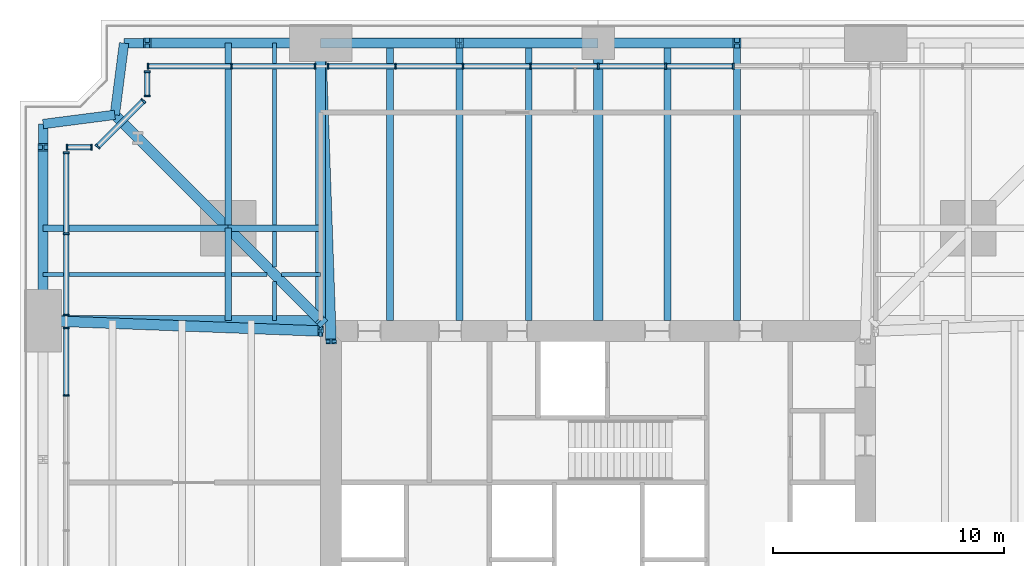
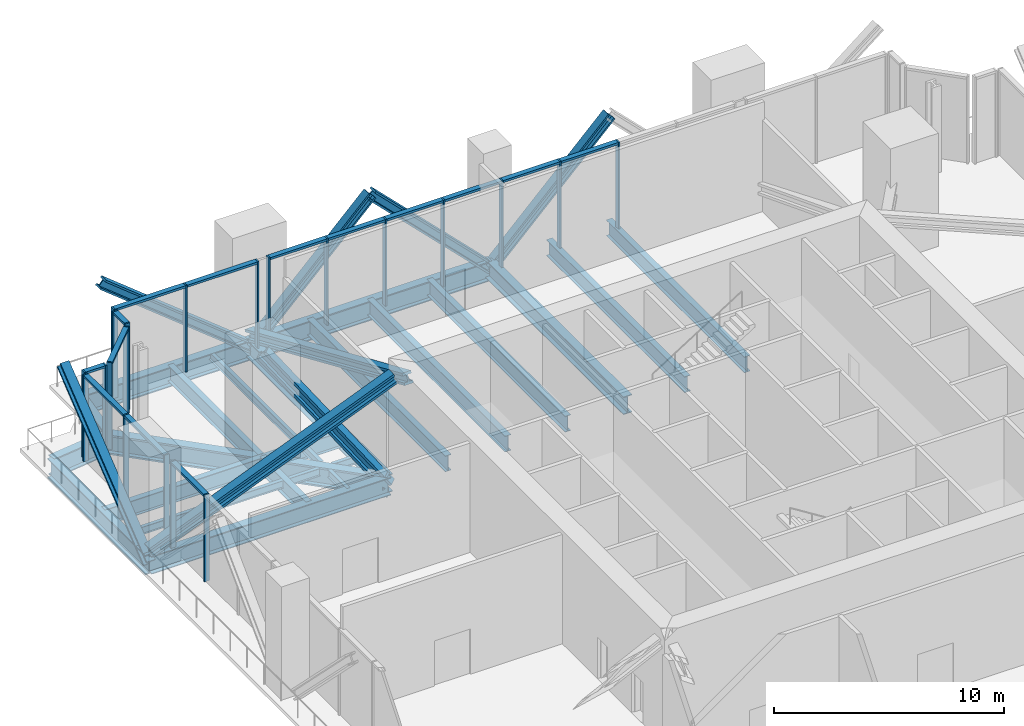
# One storey, part 6 of 13: 43 members, 25 beams, 7 elements without a shape of their own.
"""IFC4 building model written with IfcOpenShell, lengths in metres."""

from ifc_helpers import new_model, si_unit, direction, frame, origin, origin_2d, place, context, subcontext, project, spatial, rectangle, i_section, extrude, material, material_profile, profile_set, type_object, element, aggregate, save


model = new_model("IFC4")

# Units and contexts
model_context = context("Model", 3, precision=1e-05, world=origin(), true_north=direction((0.0, 1.0)))
body_context = subcontext(model_context, "Body", "Model", "MODEL_VIEW")
ifc_project = project(units=[si_unit("LENGTHUNIT", "METRE"), si_unit("AREAUNIT", "SQUARE_METRE"), si_unit("VOLUMEUNIT", "CUBIC_METRE"), si_unit("PLANEANGLEUNIT", "RADIAN"), si_unit("MASSUNIT", "GRAM", prefix="KILO")], contexts=[model_context])

# Site, building, storey
site_placement = place(None, origin())
site = spatial("IfcSite", under=ifc_project, at=site_placement, CompositionType="ELEMENT")
building_placement = place(site_placement, origin())
building = spatial("IfcBuilding", under=site, at=building_placement, Name="Fenwick Lantern Interchange", CompositionType="ELEMENT")
storey_placement = place(building_placement, frame((0.0, 0.0, 91.0)))
storey = spatial("IfcBuildingStorey", under=building, at=storey_placement, Name="L21", CompositionType="ELEMENT", Elevation=91.0)

# Members
ifc_material_1 = material(Name="Steel ASTM A992 Grade 50", Category="steel")
ifc_material_profile_1 = material_profile(ifc_material_1, i_section(OverallWidth=0.431884765625, OverallDepth=0.497802734375, WebThickness=0.0556640625, FlangeThickness=0.0888671875, at=origin_2d()), Name="W14X500")
ifc_profile_set_1 = profile_set([ifc_material_profile_1], Name="Steel ASTM A992 Grade 50")
member_type_1 = type_object("IfcMemberType", Name="BELT TRUSS DIAGONAL W14X500", PredefinedType="BRACE", material=ifc_profile_set_1)
for number, where, z_axis, x_axis, name in (
    (1, (25.0, 49.0, -0.64990234375), (0.707106781187, 0.0, 0.707106781187), (0.0, 1.0, 0.0), "L21/BT/N/D3"),
    (2, (25.0, 49.0, -0.64990234375), (-0.707106781187, 0.0, 0.707106781187), (0.0, -1.0, 0.0), "L21/BT/N/D4"),
    (3, (13.0, 49.0, -0.64990234375), (0.707106781187, 0.0, 0.707106781187), (0.0, 1.0, 0.0), "L21/BT/N/D5"),
):
    element("IfcMember", number, at=place(storey_placement, frame(where, z_axis=z_axis, x_axis=x_axis)), inside=storey, type_object=member_type_1, Name=name, PredefinedType="BRACE", context=body_context, shape_type="SweptSolid", body=[
        extrude(i_section(OverallWidth=0.431884765625, OverallDepth=0.497802734375, WebThickness=0.0556640625, FlangeThickness=0.0888671875, at=origin_2d()), origin(), (0.0, 0.0, 1.0), 8.4853515625),
    ])
for number, where, z_axis, x_axis, name in (
    (4, (13.0, 49.0, -0.64990234375), (-0.780868809443, 0.0, 0.624695047554), (0.0, -1.0, 0.0), "L21/BT/N/D6"),
    (5, (1.0, 37.0, -0.64990234375), (0.0, 0.780868809443, 0.624695047554), (-1.0, 0.0, 0.0), "L21/BT/W/D1"),
):
    element("IfcMember", number, at=place(storey_placement, frame(where, z_axis=z_axis, x_axis=x_axis)), inside=storey, type_object=member_type_1, Name=name, PredefinedType="BRACE", context=body_context, shape_type="SweptSolid", body=[
        extrude(i_section(OverallWidth=0.431884765625, OverallDepth=0.497802734375, WebThickness=0.0556640625, FlangeThickness=0.0888671875, at=origin_2d()), origin(), (0.0, 0.0, 1.0), 9.604736328125),
    ])

# Beams
ifc_material_profile_2 = material_profile(ifc_material_1, i_section(OverallWidth=0.408935546875, OverallDepth=1.04150390625, WebThickness=0.031005859375, FlangeThickness=0.055908203125, at=origin_2d()), Name="W40X397")
ifc_profile_set_2 = profile_set([ifc_material_profile_2], Name="Steel ASTM A992 Grade 50")
beam_type_1 = type_object("IfcBeamType", Name="EDGE BEAM W40X397", PredefinedType="SPANDREL", material=ifc_profile_set_2)
beam_1_placement = place(storey_placement, frame((25.0, 49.0, -0.720703125), z_axis=(-1.0, 0.0, 0.0), x_axis=(0.0, -1.0, 0.0)))
element("IfcBeam", 6, at=beam_1_placement, inside=storey, type_object=beam_type_1, Name="L21/FR/N/EB3", PredefinedType="SPANDREL", context=body_context, shape_type="SweptSolid", body=[
    extrude(i_section(OverallWidth=0.408935546875, OverallDepth=1.04150390625, WebThickness=0.031005859375, FlangeThickness=0.055908203125, at=origin_2d()), origin(), (0.0, 0.0, 1.0), 12.0),
])
beam_2_placement = place(storey_placement, frame((13.0, 49.0, -0.720703125), z_axis=(-1.0, 0.0, 0.0), x_axis=(0.0, -1.0, 0.0)))
element("IfcBeam", 7, at=beam_2_placement, inside=storey, type_object=beam_type_1, Name="L21/FR/N/EB4", PredefinedType="SPANDREL", context=body_context, shape_type="SweptSolid", body=[
    extrude(i_section(OverallWidth=0.408935546875, OverallDepth=1.04150390625, WebThickness=0.031005859375, FlangeThickness=0.055908203125, at=origin_2d()), origin(), (0.0, 0.0, 1.0), 8.5),
])
for number, where, z_axis, x_axis, name in (
    (8, (4.5, 49.0, -0.720703125), (-0.127936641807, -0.991782342897, 0.0), (0.991782342897, -0.127936641807, 0.0), "L21/FR/N/EBR1"),
    (9, (4.10009765625, 45.89990234375, -0.720703125), (-0.991782342897, -0.127936641807, 0.0), (0.127936641807, -0.991782342897, 0.0), "L21/FR/N/EBR2"),
):
    element("IfcBeam", number, at=place(storey_placement, frame(where, z_axis=z_axis, x_axis=x_axis)), inside=storey, type_object=beam_type_1, Name=name, PredefinedType="SPANDREL", context=body_context, shape_type="SweptSolid", body=[
        extrude(i_section(OverallWidth=0.408935546875, OverallDepth=1.04150390625, WebThickness=0.031005859375, FlangeThickness=0.055908203125, at=origin_2d()), origin(), (0.0, 0.0, 1.0), 3.125732421875),
    ])
beam_3_placement = place(storey_placement, frame((1.0, 45.5, -0.720703125), z_axis=(0.0, -1.0, 0.0), x_axis=(1.0, 0.0, 0.0)))
element("IfcBeam", 10, at=beam_3_placement, inside=storey, type_object=beam_type_1, Name="L21/FR/W/EB1", PredefinedType="SPANDREL", context=body_context, shape_type="SweptSolid", body=[
    extrude(i_section(OverallWidth=0.408935546875, OverallDepth=1.04150390625, WebThickness=0.031005859375, FlangeThickness=0.055908203125, at=origin_2d()), origin(), (0.0, 0.0, 1.0), 8.5),
])
ifc_material_profile_3 = material_profile(ifc_material_1, i_section(OverallWidth=0.2919921875, OverallDepth=0.845703125, WebThickness=0.015380859375, FlangeThickness=0.0244140625, at=origin_2d()), Name="W33X141")
ifc_profile_set_3 = profile_set([ifc_material_profile_3], Name="Steel ASTM A992 Grade 50")
beam_type_2 = type_object("IfcBeamType", Name="FLOOR BEAM W33X141", PredefinedType="BEAM", material=ifc_profile_set_3)
for number, where, z_axis, x_axis, name in (
    (11, (31.0, 49.0, -0.622802734375), (0.0, -1.0, 0.0), (1.0, 0.0, 0.0), "L21/FR/N/R03"),
    (12, (28.0, 49.0, -0.622802734375), (0.0, -1.0, 0.0), (1.0, 0.0, 0.0), "L21/FR/N/R04"),
    (13, (22.0, 49.0, -0.622802734375), (0.0, -1.0, 0.0), (1.0, 0.0, 0.0), "L21/FR/N/R06"),
    (14, (19.0, 49.0, -0.622802734375), (0.0, -1.0, 0.0), (1.0, 0.0, 0.0), "L21/FR/N/R07"),
    (15, (16.0, 49.0, -0.622802734375), (0.0, -1.0, 0.0), (1.0, 0.0, 0.0), "L21/FR/N/R08"),
):
    element("IfcBeam", number, at=place(storey_placement, frame(where, z_axis=z_axis, x_axis=x_axis)), inside=storey, type_object=beam_type_2, Name=name, PredefinedType="BEAM", context=body_context, shape_type="SweptSolid", body=[
        extrude(i_section(OverallWidth=0.2919921875, OverallDepth=0.845703125, WebThickness=0.015380859375, FlangeThickness=0.0244140625, at=origin_2d()), origin(), (0.0, 0.0, 1.0), 12.0),
    ])
ifc_material_profile_4 = material_profile(ifc_material_1, i_section(OverallWidth=0.177734375, OverallDepth=0.406494140625, WebThickness=0.0078125, FlangeThickness=0.012939453125, at=origin_2d()), Name="W16X40")
ifc_profile_set_4 = profile_set([ifc_material_profile_4], Name="Steel ASTM A992 Grade 50")
beam_type_3 = type_object("IfcBeamType", Name="INFILL BEAM W16X40", PredefinedType="JOIST", material=ifc_profile_set_4)
beam_4_placement = place(storey_placement, frame((1.0, 39.0, -0.4033203125), z_axis=(1.0, 0.0, 0.0), x_axis=(0.0, 1.0, 0.0)))
element("IfcBeam", 16, at=beam_4_placement, inside=storey, type_object=beam_type_3, Name="L21/FR/W/J1", PredefinedType="JOIST", context=body_context, shape_type="SweptSolid", body=[
    extrude(i_section(OverallWidth=0.177734375, OverallDepth=0.406494140625, WebThickness=0.0078125, FlangeThickness=0.012939453125, at=origin_2d()), origin(), (0.0, 0.0, 1.0), 7.85400390625),
])
beam_5_placement = place(storey_placement, frame((9.14599609375, 39.0, -0.4033203125), z_axis=(1.0, 0.0, 0.0), x_axis=(0.0, 1.0, 0.0)))
element("IfcBeam", 17, at=beam_5_placement, inside=storey, type_object=beam_type_3, Name="L21/FR/W/J2", PredefinedType="JOIST", context=body_context, shape_type="SweptSolid", body=[
    extrude(i_section(OverallWidth=0.177734375, OverallDepth=0.406494140625, WebThickness=0.0078125, FlangeThickness=0.012939453125, at=origin_2d()), origin(), (0.0, 0.0, 1.0), 1.537841796875),
])
beam_6_placement = place(storey_placement, frame((11.316162109375, 39.0, -0.4033203125), z_axis=(1.0, 0.0, 0.0), x_axis=(0.0, 1.0, 0.0)))
element("IfcBeam", 18, at=beam_6_placement, inside=storey, type_object=beam_type_3, Name="L21/FR/W/J6", PredefinedType="JOIST", context=body_context, shape_type="SweptSolid", body=[
    extrude(i_section(OverallWidth=0.177734375, OverallDepth=0.406494140625, WebThickness=0.0078125, FlangeThickness=0.012939453125, at=origin_2d()), origin(), (0.0, 0.0, 1.0), 1.683837890625),
])
beam_7_placement = place(storey_placement, frame((11.0, 49.0, -0.4033203125), z_axis=(0.0, -1.0, 0.0), x_axis=(1.0, 0.0, 0.0)))
element("IfcBeam", 19, at=beam_7_placement, inside=storey, type_object=beam_type_3, Name="L21/FR/W/J3", PredefinedType="JOIST", context=body_context, shape_type="SweptSolid", body=[
    extrude(i_section(OverallWidth=0.177734375, OverallDepth=0.406494140625, WebThickness=0.0078125, FlangeThickness=0.012939453125, at=origin_2d()), origin(), (0.0, 0.0, 1.0), 7.85400390625),
])
beam_8_placement = place(storey_placement, frame((11.0, 40.85400390625, -0.4033203125), z_axis=(0.0, -1.0, 0.0), x_axis=(1.0, 0.0, 0.0)))
element("IfcBeam", 20, at=beam_8_placement, inside=storey, type_object=beam_type_3, Name="L21/FR/W/J4", PredefinedType="JOIST", context=body_context, shape_type="SweptSolid", body=[
    extrude(i_section(OverallWidth=0.177734375, OverallDepth=0.406494140625, WebThickness=0.0078125, FlangeThickness=0.012939453125, at=origin_2d()), origin(), (0.0, 0.0, 1.0), 1.537841796875),
])
beam_9_placement = place(storey_placement, frame((11.0, 38.683837890625, -0.4033203125), z_axis=(0.0, -1.0, 0.0), x_axis=(1.0, 0.0, 0.0)))
element("IfcBeam", 21, at=beam_9_placement, inside=storey, type_object=beam_type_3, Name="L21/FR/W/J5", PredefinedType="JOIST", context=body_context, shape_type="SweptSolid", body=[
    extrude(i_section(OverallWidth=0.177734375, OverallDepth=0.406494140625, WebThickness=0.0078125, FlangeThickness=0.012939453125, at=origin_2d()), origin(), (0.0, 0.0, 1.0), 1.683837890625),
])
ifc_material_profile_5 = material_profile(ifc_material_1, i_section(OverallWidth=0.2919921875, OverallDepth=0.845703125, WebThickness=0.015380859375, FlangeThickness=0.0244140625, at=origin_2d()), Name="W33X141")
ifc_profile_set_5 = profile_set([ifc_material_profile_5], Name="Steel ASTM A992 Grade 50")
beam_type_4 = type_object("IfcBeamType", Name="MEGA COLUMN BEAM W33X141", PredefinedType="BEAM", material=ifc_profile_set_5)
for number, where, z_axis, x_axis, name in (
    (22, (9.0, 41.0, -0.622802734375), (-1.0, 0.0, 0.0), (0.0, -1.0, 0.0), "L21/FR/W/MB1"),
    (23, (9.0, 41.0, -0.622802734375), (0.0, 1.0, 0.0), (-1.0, 0.0, 0.0), "L21/FR/W/MB2"),
):
    element("IfcBeam", number, at=place(storey_placement, frame(where, z_axis=z_axis, x_axis=x_axis)), inside=storey, type_object=beam_type_4, Name=name, PredefinedType="BEAM", context=body_context, shape_type="SweptSolid", body=[
        extrude(i_section(OverallWidth=0.2919921875, OverallDepth=0.845703125, WebThickness=0.015380859375, FlangeThickness=0.0244140625, at=origin_2d()), origin(), (0.0, 0.0, 1.0), 8.0),
    ])
for number, where, z_axis, x_axis, name in (
    (24, (9.0, 41.0, -0.622802734375), (0.0, -1.0, 0.0), (1.0, 0.0, 0.0), "L21/FR/W/MB3"),
    (25, (9.0, 41.0, -0.622802734375), (1.0, 0.0, 0.0), (0.0, 1.0, 0.0), "L21/FR/W/MB4"),
):
    element("IfcBeam", number, at=place(storey_placement, frame(where, z_axis=z_axis, x_axis=x_axis)), inside=storey, type_object=beam_type_4, Name=name, PredefinedType="BEAM", context=body_context, shape_type="SweptSolid", body=[
        extrude(i_section(OverallWidth=0.2919921875, OverallDepth=0.845703125, WebThickness=0.015380859375, FlangeThickness=0.0244140625, at=origin_2d()), origin(), (0.0, 0.0, 1.0), 4.0),
    ])
ifc_material_profile_6 = material_profile(ifc_material_1, i_section(OverallWidth=0.424072265625, OverallDepth=0.947509765625, WebThickness=0.02392578125, FlangeThickness=0.042724609375, at=origin_2d()), Name="W36X302")
ifc_profile_set_6 = profile_set([ifc_material_profile_6], Name="Steel ASTM A992 Grade 50")
beam_type_5 = type_object("IfcBeamType", Name="MOMENT-CONNECTED GIRDER W36X302", PredefinedType="BEAM", material=ifc_profile_set_6)
for number, where, z_axis, x_axis, name in (
    (26, (25.0, 49.0, -0.673828125), (0.0, -1.0, 0.0), (1.0, 0.0, 0.0), "L21/FR/N/R05"),
    (27, (13.0, 49.0, -0.673828125), (0.0, -1.0, 0.0), (1.0, 0.0, 0.0), "L21/FR/N/R09"),
    (28, (1.0, 37.0, -0.673828125), (1.0, 0.0, 0.0), (0.0, 1.0, 0.0), "L21/FR/W/R01"),
):
    element("IfcBeam", number, at=place(storey_placement, frame(where, z_axis=z_axis, x_axis=x_axis)), inside=storey, type_object=beam_type_5, Name=name, PredefinedType="BEAM", context=body_context, shape_type="SweptSolid", body=[
        extrude(i_section(OverallWidth=0.424072265625, OverallDepth=0.947509765625, WebThickness=0.02392578125, FlangeThickness=0.042724609375, at=origin_2d()), origin(), (0.0, 0.0, 1.0), 12.0),
    ])
ifc_material_profile_7 = material_profile(ifc_material_1, i_section(OverallWidth=0.447021484375, OverallDepth=1.0439453125, WebThickness=0.050048828125, FlangeThickness=0.08984375, at=origin_2d()), Name="W36X652")
ifc_profile_set_7 = profile_set([ifc_material_profile_7], Name="Steel ASTM A992 Grade 50")
beam_type_6 = type_object("IfcBeamType", Name="NOTCH BEAM W36X652", PredefinedType="BEAM", material=ifc_profile_set_7)
beam_10_placement = place(storey_placement, frame((9.0, 41.0, -0.721923828125), z_axis=(-0.707106781187, 0.707106781187, 0.0), x_axis=(-0.707106781187, -0.707106781187, 0.0)))
element("IfcBeam", 29, at=beam_10_placement, inside=storey, type_object=beam_type_6, Name="L21/FR/W/TG", PredefinedType="BEAM", context=body_context, shape_type="SweptSolid", body=[
    extrude(i_section(OverallWidth=0.447021484375, OverallDepth=1.0439453125, WebThickness=0.050048828125, FlangeThickness=0.08984375, at=origin_2d()), origin(), (0.0, 0.0, 1.0), 6.929443359375),
])
ifc_material_profile_8 = material_profile(ifc_material_1, i_section(OverallWidth=0.447021484375, OverallDepth=1.0439453125, WebThickness=0.050048828125, FlangeThickness=0.08984375, at=origin_2d()), Name="W36X652")
ifc_profile_set_8 = profile_set([ifc_material_profile_8], Name="Steel ASTM A992 Grade 50")
beam_type_7 = type_object("IfcBeamType", Name="OUTRIGGER CHORD W36X652", PredefinedType="BEAM", material=ifc_profile_set_8)
beam_11_placement = place(storey_placement, frame((13.0, 37.0, -0.721923828125), z_axis=(-0.707106781187, 0.707106781187, 0.0), x_axis=(-0.707106781187, -0.707106781187, 0.0)))
element("IfcBeam", 30, at=beam_11_placement, inside=storey, type_object=beam_type_7, Name="L21/OR/W/BC", PredefinedType="BEAM", context=body_context, shape_type="SweptSolid", body=[
    extrude(i_section(OverallWidth=0.447021484375, OverallDepth=1.0439453125, WebThickness=0.050048828125, FlangeThickness=0.08984375, at=origin_2d()), origin(), (0.0, 0.0, 1.0), 5.65673828125),
])

# Members
ifc_material_profile_9 = material_profile(ifc_material_1, i_section(OverallWidth=0.45458984375, OverallDepth=0.56884765625, WebThickness=0.077880859375, FlangeThickness=0.124755859375, at=origin_2d()), Name="W14X730")
ifc_profile_set_9 = profile_set([ifc_material_profile_9], Name="Steel ASTM A992 Grade 50")
member_type_2 = type_object("IfcMemberType", Name="OUTRIGGER DIAGONAL W14X730", PredefinedType="BRACE", material=ifc_profile_set_9)
member_1_placement = place(storey_placement, frame((13.0, 49.0, 0.0), z_axis=(0.032223486879, -0.923833206581, 0.381436565252), x_axis=(0.999392240336, 0.034859001078, 0.0)))
element("IfcMember", 31, at=member_1_placement, inside=storey, type_object=member_type_2, Name="L21/OR/N/W2", PredefinedType="BRACE", context=body_context, shape_type="SweptSolid", body=[
    extrude(i_section(OverallWidth=0.45458984375, OverallDepth=0.56884765625, WebThickness=0.077880859375, FlangeThickness=0.124755859375, at=origin_2d()), origin(), (0.0, 0.0, 1.0), 13.96337890625),
])
member_2_placement = place(storey_placement, frame((13.0, 37.0, -0.721923828125), z_axis=(-0.485071250073, 0.485071250073, 0.727606875109), x_axis=(-0.707106781187, -0.707106781187, 0.0)))
element("IfcMember", 32, at=member_2_placement, inside=storey, type_object=member_type_2, Name="L21/OR/W/D", PredefinedType="BRACE", context=body_context, shape_type="SweptSolid", body=[
    extrude(i_section(OverallWidth=0.45458984375, OverallDepth=0.56884765625, WebThickness=0.077880859375, FlangeThickness=0.124755859375, at=origin_2d()), origin(), (0.0, 0.0, 1.0), 8.24609375),
])
member_3_placement = place(storey_placement, frame((1.0, 37.0, 0.0), z_axis=(0.913477570557, -0.034251691946, 0.405444878729), x_axis=(0.037469600146, 0.999297767968, 0.0)))
element("IfcMember", 33, at=member_3_placement, inside=storey, type_object=member_type_2, Name="L21/OR/W/W1", PredefinedType="BRACE", context=body_context, shape_type="SweptSolid", body=[
    extrude(i_section(OverallWidth=0.45458984375, OverallDepth=0.56884765625, WebThickness=0.077880859375, FlangeThickness=0.124755859375, at=origin_2d()), origin(), (0.0, 0.0, 1.0), 13.13671875),
])

# Curtain wall, members
ifc_material_2 = material(Name="Aluminium curtain wall frame", Category="aluminium")
curtain_wall_type = type_object("IfcCurtainWallType", Name="PLANT LOUVRE SCREEN", PredefinedType="USERDEFINED", material=ifc_material_2)
curtain_wall_1_placement = place(storey_placement, origin())
curtain_wall_1 = element("IfcCurtainWall", 34, at=curtain_wall_1_placement, inside=storey, type_object=curtain_wall_type, Name="Plant louvre screen 08B", ObjectType="PLANT LOUVRE SCREEN", PredefinedType="USERDEFINED")
ifc_material_3 = material(Name="Aluminium extrusion", Category="aluminium")
ifc_material_profile_10 = material_profile(ifc_material_3, rectangle(XDim=0.25, YDim=0.074951171875, at=origin_2d()), Name="PLANT LOUVRE SCREEN MULLION 75 X 250")
ifc_profile_set_10 = profile_set([ifc_material_profile_10], Name="Aluminium extrusion")
member_type_3 = type_object("IfcMemberType", Name="PLANT LOUVRE SCREEN MULLION 75 X 250", PredefinedType="MULLION", material=ifc_profile_set_10)
member_4_placement = place(storey_placement, frame((30.8427734375, 48.0, 0.0), z_axis=(0.0, 0.0, 1.0), x_axis=(0.0, -1.0, 0.0)))
member_4 = element("IfcMember", 35, at=member_4_placement, type_object=member_type_3, Name="L21/CW/08B/M02", PredefinedType="MULLION", context=body_context, shape_type="SweptSolid", body=[
    extrude(rectangle(XDim=0.25, YDim=0.074951171875, at=origin_2d()), origin(), (0.0, 0.0, 1.0), 4.60009765625),
])
member_5_placement = place(storey_placement, frame((27.92138671875, 48.0, 0.0), z_axis=(0.0, 0.0, 1.0), x_axis=(0.0, -1.0, 0.0)))
member_5 = element("IfcMember", 36, at=member_5_placement, type_object=member_type_3, Name="L21/CW/08B/M03", PredefinedType="MULLION", context=body_context, shape_type="SweptSolid", body=[
    extrude(rectangle(XDim=0.25, YDim=0.074951171875, at=origin_2d()), origin(), (0.0, 0.0, 1.0), 4.60009765625),
])
member_6_placement = place(storey_placement, frame((25.0, 48.0, 0.0), z_axis=(0.0, 0.0, 1.0), x_axis=(0.0, -1.0, 0.0)))
member_6 = element("IfcMember", 37, at=member_6_placement, type_object=member_type_3, Name="L21/CW/08B/M04", PredefinedType="MULLION", context=body_context, shape_type="SweptSolid", body=[
    extrude(rectangle(XDim=0.25, YDim=0.074951171875, at=origin_2d()), origin(), (0.0, 0.0, 1.0), 4.60009765625),
])
member_7_placement = place(storey_placement, frame((22.07861328125, 48.0, 0.0), z_axis=(0.0, 0.0, 1.0), x_axis=(0.0, -1.0, 0.0)))
member_7 = element("IfcMember", 38, at=member_7_placement, type_object=member_type_3, Name="L21/CW/08B/M05", PredefinedType="MULLION", context=body_context, shape_type="SweptSolid", body=[
    extrude(rectangle(XDim=0.25, YDim=0.074951171875, at=origin_2d()), origin(), (0.0, 0.0, 1.0), 4.60009765625),
])
member_8_placement = place(storey_placement, frame((19.1572265625, 48.0, 0.0), z_axis=(0.0, 0.0, 1.0), x_axis=(0.0, -1.0, 0.0)))
member_8 = element("IfcMember", 39, at=member_8_placement, type_object=member_type_3, Name="L21/CW/08B/M06", PredefinedType="MULLION", context=body_context, shape_type="SweptSolid", body=[
    extrude(rectangle(XDim=0.25, YDim=0.074951171875, at=origin_2d()), origin(), (0.0, 0.0, 1.0), 4.60009765625),
])
member_9_placement = place(storey_placement, frame((16.235595703125, 48.0, 0.0), z_axis=(0.0, 0.0, 1.0), x_axis=(0.0, -1.0, 0.0)))
member_9 = element("IfcMember", 40, at=member_9_placement, type_object=member_type_3, Name="L21/CW/08B/M07", PredefinedType="MULLION", context=body_context, shape_type="SweptSolid", body=[
    extrude(rectangle(XDim=0.25, YDim=0.074951171875, at=origin_2d()), origin(), (0.0, 0.0, 1.0), 4.60009765625),
])
member_10_placement = place(storey_placement, frame((13.314208984375, 48.0, 0.0), z_axis=(0.0, 0.0, 1.0), x_axis=(0.0, -1.0, 0.0)))
member_10 = element("IfcMember", 41, at=member_10_placement, type_object=member_type_3, Name="L21/CW/08B/M08", PredefinedType="MULLION", context=body_context, shape_type="SweptSolid", body=[
    extrude(rectangle(XDim=0.25, YDim=0.074951171875, at=origin_2d()), origin(), (0.0, 0.0, 1.0), 4.60009765625),
])

curtain_wall_2_placement = place(storey_placement, origin())
curtain_wall_2 = element("IfcCurtainWall", 42, at=curtain_wall_2_placement, inside=storey, type_object=curtain_wall_type, Name="Plant louvre screen 08C", ObjectType="PLANT LOUVRE SCREEN", PredefinedType="USERDEFINED")
member_11_placement = place(storey_placement, frame((12.755615234375, 48.0, 0.0), z_axis=(0.0, 0.0, 1.0), x_axis=(0.0, -1.0, 0.0)))
member_11 = element("IfcMember", 43, at=member_11_placement, type_object=member_type_3, Name="L21/CW/08C/M00", PredefinedType="MULLION", context=body_context, shape_type="SweptSolid", body=[
    extrude(rectangle(XDim=0.25, YDim=0.074951171875, at=origin_2d()), origin(), (0.0, 0.0, 1.0), 4.60009765625),
])
member_12_placement = place(storey_placement, frame((9.146484375, 48.0, 0.0), z_axis=(0.0, 0.0, 1.0), x_axis=(0.0, -1.0, 0.0)))
member_12 = element("IfcMember", 44, at=member_12_placement, type_object=member_type_3, Name="L21/CW/08C/M01", PredefinedType="MULLION", context=body_context, shape_type="SweptSolid", body=[
    extrude(rectangle(XDim=0.25, YDim=0.074951171875, at=origin_2d()), origin(), (0.0, 0.0, 1.0), 4.60009765625),
])
member_13_placement = place(storey_placement, frame((5.53759765625, 48.0, 0.0), z_axis=(0.0, 0.0, 1.0), x_axis=(0.0, -1.0, 0.0)))
member_13 = element("IfcMember", 45, at=member_13_placement, type_object=member_type_3, Name="L21/CW/08C/M02", PredefinedType="MULLION", context=body_context, shape_type="SweptSolid", body=[
    extrude(rectangle(XDim=0.25, YDim=0.074951171875, at=origin_2d()), origin(), (0.0, 0.0, 1.0), 4.60009765625),
])

curtain_wall_3_placement = place(storey_placement, origin())
curtain_wall_3 = element("IfcCurtainWall", 46, at=curtain_wall_3_placement, inside=storey, type_object=curtain_wall_type, Name="Plant louvre screen 09", ObjectType="PLANT LOUVRE SCREEN", PredefinedType="USERDEFINED")
member_14_placement = place(storey_placement, frame((5.5, 47.762451171875, 0.0), z_axis=(0.0, 0.0, 1.0), x_axis=(1.0, 0.0, 0.0)))
member_14 = element("IfcMember", 47, at=member_14_placement, type_object=member_type_3, Name="L21/CW/09/M00", PredefinedType="MULLION", context=body_context, shape_type="SweptSolid", body=[
    extrude(rectangle(XDim=0.25, YDim=0.074951171875, at=origin_2d()), origin(), (0.0, 0.0, 1.0), 4.60009765625),
])
member_15_placement = place(storey_placement, frame((5.5, 46.708984375, 0.0), z_axis=(0.0, 0.0, 1.0), x_axis=(1.0, 0.0, 0.0)))
member_15 = element("IfcMember", 48, at=member_15_placement, type_object=member_type_3, Name="L21/CW/09/M01", PredefinedType="MULLION", context=body_context, shape_type="SweptSolid", body=[
    extrude(rectangle(XDim=0.25, YDim=0.074951171875, at=origin_2d()), origin(), (0.0, 0.0, 1.0), 4.60009765625),
])

curtain_wall_4_placement = place(storey_placement, origin())
curtain_wall_4 = element("IfcCurtainWall", 49, at=curtain_wall_4_placement, inside=storey, type_object=curtain_wall_type, Name="Plant louvre screen 10", ObjectType="PLANT LOUVRE SCREEN", PredefinedType="USERDEFINED")
member_16_placement = place(storey_placement, frame((5.33203125, 46.503662109375, 0.0), z_axis=(0.0, 0.0, 1.0), x_axis=(0.707106781187, -0.707106781187, 0.0)))
member_16 = element("IfcMember", 50, at=member_16_placement, type_object=member_type_3, Name="L21/CW/10/M00", PredefinedType="MULLION", context=body_context, shape_type="SweptSolid", body=[
    extrude(rectangle(XDim=0.25, YDim=0.074951171875, at=origin_2d()), origin(), (0.0, 0.0, 1.0), 4.60009765625),
])
member_17_placement = place(storey_placement, frame((3.35498046875, 44.526611328125, 0.0), z_axis=(0.0, 0.0, 1.0), x_axis=(0.707106781187, -0.707106781187, 0.0)))
member_17 = element("IfcMember", 51, at=member_17_placement, type_object=member_type_3, Name="L21/CW/10/M01", PredefinedType="MULLION", context=body_context, shape_type="SweptSolid", body=[
    extrude(rectangle(XDim=0.25, YDim=0.074951171875, at=origin_2d()), origin(), (0.0, 0.0, 1.0), 4.60009765625),
])

curtain_wall_5_placement = place(storey_placement, origin())
curtain_wall_5 = element("IfcCurtainWall", 52, at=curtain_wall_5_placement, inside=storey, type_object=curtain_wall_type, Name="Plant louvre screen 11", ObjectType="PLANT LOUVRE SCREEN", PredefinedType="USERDEFINED")
member_18_placement = place(storey_placement, frame((3.0908203125, 44.5, 0.0), z_axis=(0.0, 0.0, 1.0), x_axis=(0.0, -1.0, 0.0)))
member_18 = element("IfcMember", 53, at=member_18_placement, type_object=member_type_3, Name="L21/CW/11/M00", PredefinedType="MULLION", context=body_context, shape_type="SweptSolid", body=[
    extrude(rectangle(XDim=0.25, YDim=0.074951171875, at=origin_2d()), origin(), (0.0, 0.0, 1.0), 4.60009765625),
])
member_19_placement = place(storey_placement, frame((2.03759765625, 44.5, 0.0), z_axis=(0.0, 0.0, 1.0), x_axis=(0.0, -1.0, 0.0)))
member_19 = element("IfcMember", 54, at=member_19_placement, type_object=member_type_3, Name="L21/CW/11/M01", PredefinedType="MULLION", context=body_context, shape_type="SweptSolid", body=[
    extrude(rectangle(XDim=0.25, YDim=0.074951171875, at=origin_2d()), origin(), (0.0, 0.0, 1.0), 4.60009765625),
])

curtain_wall_6_placement = place(storey_placement, origin())
curtain_wall_6 = element("IfcCurtainWall", 55, at=curtain_wall_6_placement, inside=storey, type_object=curtain_wall_type, Name="Plant louvre screen 12A", ObjectType="PLANT LOUVRE SCREEN", PredefinedType="USERDEFINED")
member_20_placement = place(storey_placement, frame((2.0, 44.262451171875, 0.0), z_axis=(0.0, 0.0, 1.0), x_axis=(1.0, 0.0, 0.0)))
member_20 = element("IfcMember", 56, at=member_20_placement, type_object=member_type_3, Name="L21/CW/12A/M00", PredefinedType="MULLION", context=body_context, shape_type="SweptSolid", body=[
    extrude(rectangle(XDim=0.25, YDim=0.074951171875, at=origin_2d()), origin(), (0.0, 0.0, 1.0), 4.60009765625),
])
member_21_placement = place(storey_placement, frame((2.0, 40.75244140625, 0.0), z_axis=(0.0, 0.0, 1.0), x_axis=(1.0, 0.0, 0.0)))
member_21 = element("IfcMember", 57, at=member_21_placement, type_object=member_type_3, Name="L21/CW/12A/M01", PredefinedType="MULLION", context=body_context, shape_type="SweptSolid", body=[
    extrude(rectangle(XDim=0.25, YDim=0.074951171875, at=origin_2d()), origin(), (0.0, 0.0, 1.0), 4.60009765625),
])
member_22_placement = place(storey_placement, frame((2.0, 37.2421875, 0.0), z_axis=(0.0, 0.0, 1.0), x_axis=(1.0, 0.0, 0.0)))
member_22 = element("IfcMember", 58, at=member_22_placement, type_object=member_type_3, Name="L21/CW/12A/M02", PredefinedType="MULLION", context=body_context, shape_type="SweptSolid", body=[
    extrude(rectangle(XDim=0.25, YDim=0.074951171875, at=origin_2d()), origin(), (0.0, 0.0, 1.0), 4.60009765625),
])

curtain_wall_7_placement = place(storey_placement, origin())
curtain_wall_7 = element("IfcCurtainWall", 59, at=curtain_wall_7_placement, inside=storey, type_object=curtain_wall_type, Name="Plant louvre screen 12B", ObjectType="PLANT LOUVRE SCREEN", PredefinedType="USERDEFINED")
member_23_placement = place(storey_placement, frame((2.0, 36.682861328125, 0.0), z_axis=(0.0, 0.0, 1.0), x_axis=(1.0, 0.0, 0.0)))
member_23 = element("IfcMember", 60, at=member_23_placement, type_object=member_type_3, Name="L21/CW/12B/M00", PredefinedType="MULLION", context=body_context, shape_type="SweptSolid", body=[
    extrude(rectangle(XDim=0.25, YDim=0.074951171875, at=origin_2d()), origin(), (0.0, 0.0, 1.0), 4.60009765625),
])
member_24_placement = place(storey_placement, frame((2.0, 33.76220703125, 0.0), z_axis=(0.0, 0.0, 1.0), x_axis=(1.0, 0.0, 0.0)))
member_24 = element("IfcMember", 61, at=member_24_placement, type_object=member_type_3, Name="L21/CW/12B/M01", PredefinedType="MULLION", context=body_context, shape_type="SweptSolid", body=[
    extrude(rectangle(XDim=0.25, YDim=0.074951171875, at=origin_2d()), origin(), (0.0, 0.0, 1.0), 4.60009765625),
])

# Member
ifc_material_profile_11 = material_profile(ifc_material_3, rectangle(XDim=0.25, YDim=0.1201171875, at=origin_2d()), Name="PLANT LOUVRE SCREEN TRANSOM 120 X 250")
ifc_profile_set_11 = profile_set([ifc_material_profile_11], Name="Aluminium extrusion")
member_type_4 = type_object("IfcMemberType", Name="PLANT LOUVRE SCREEN TRANSOM 120 X 250", PredefinedType="MULLION", material=ifc_profile_set_11)
member_25_placement = place(storey_placement, frame((30.805419921875, 48.0, 4.5400390625), z_axis=(-1.0, 0.0, 0.0), x_axis=(0.0, -1.0, 0.0)))
member_25 = element("IfcMember", 62, at=member_25_placement, type_object=member_type_4, Name="L21/CW/08B/T02", PredefinedType="MULLION", context=body_context, shape_type="SweptSolid", body=[
    extrude(rectangle(XDim=0.25, YDim=0.1201171875, at=origin_2d()), origin(), (0.0, 0.0, 1.0), 2.846435546875),
])

member_26_placement = place(storey_placement, frame((27.884033203125, 48.0, 4.5400390625), z_axis=(-1.0, 0.0, 0.0), x_axis=(0.0, -1.0, 0.0)))
member_26 = element("IfcMember", 63, at=member_26_placement, type_object=member_type_4, Name="L21/CW/08B/T03", PredefinedType="MULLION", context=body_context, shape_type="SweptSolid", body=[
    extrude(rectangle(XDim=0.25, YDim=0.1201171875, at=origin_2d()), origin(), (0.0, 0.0, 1.0), 2.846435546875),
])

member_27_placement = place(storey_placement, frame((24.96240234375, 48.0, 4.5400390625), z_axis=(-1.0, 0.0, 0.0), x_axis=(0.0, -1.0, 0.0)))
member_27 = element("IfcMember", 64, at=member_27_placement, type_object=member_type_4, Name="L21/CW/08B/T04", PredefinedType="MULLION", context=body_context, shape_type="SweptSolid", body=[
    extrude(rectangle(XDim=0.25, YDim=0.1201171875, at=origin_2d()), origin(), (0.0, 0.0, 1.0), 2.846435546875),
])

member_28_placement = place(storey_placement, frame((22.041015625, 48.0, 4.5400390625), z_axis=(-1.0, 0.0, 0.0), x_axis=(0.0, -1.0, 0.0)))
member_28 = element("IfcMember", 65, at=member_28_placement, type_object=member_type_4, Name="L21/CW/08B/T05", PredefinedType="MULLION", context=body_context, shape_type="SweptSolid", body=[
    extrude(rectangle(XDim=0.25, YDim=0.1201171875, at=origin_2d()), origin(), (0.0, 0.0, 1.0), 2.846435546875),
])

member_29_placement = place(storey_placement, frame((19.11962890625, 48.0, 4.5400390625), z_axis=(-1.0, 0.0, 0.0), x_axis=(0.0, -1.0, 0.0)))
member_29 = element("IfcMember", 66, at=member_29_placement, type_object=member_type_4, Name="L21/CW/08B/T06", PredefinedType="MULLION", context=body_context, shape_type="SweptSolid", body=[
    extrude(rectangle(XDim=0.25, YDim=0.1201171875, at=origin_2d()), origin(), (0.0, 0.0, 1.0), 2.846435546875),
])

member_30_placement = place(storey_placement, frame((16.1982421875, 48.0, 4.5400390625), z_axis=(-1.0, 0.0, 0.0), x_axis=(0.0, -1.0, 0.0)))
member_30 = element("IfcMember", 67, at=member_30_placement, type_object=member_type_4, Name="L21/CW/08B/T07", PredefinedType="MULLION", context=body_context, shape_type="SweptSolid", body=[
    extrude(rectangle(XDim=0.25, YDim=0.1201171875, at=origin_2d()), origin(), (0.0, 0.0, 1.0), 2.846435546875),
])

aggregate(curtain_wall_1, [member_4, member_5, member_6, member_7, member_8, member_9, member_10, member_25, member_26, member_27, member_28, member_29, member_30])

member_31_placement = place(storey_placement, frame((12.718017578125, 48.0, 4.5400390625), z_axis=(-1.0, 0.0, 0.0), x_axis=(0.0, -1.0, 0.0)))
member_31 = element("IfcMember", 68, at=member_31_placement, type_object=member_type_4, Name="L21/CW/08C/T00", PredefinedType="MULLION", context=body_context, shape_type="SweptSolid", body=[
    extrude(rectangle(XDim=0.25, YDim=0.1201171875, at=origin_2d()), origin(), (0.0, 0.0, 1.0), 3.533935546875),
])

member_32_placement = place(storey_placement, frame((9.109130859375, 48.0, 4.5400390625), z_axis=(-1.0, 0.0, 0.0), x_axis=(0.0, -1.0, 0.0)))
member_32 = element("IfcMember", 69, at=member_32_placement, type_object=member_type_4, Name="L21/CW/08C/T01", PredefinedType="MULLION", context=body_context, shape_type="SweptSolid", body=[
    extrude(rectangle(XDim=0.25, YDim=0.1201171875, at=origin_2d()), origin(), (0.0, 0.0, 1.0), 3.5341796875),
])

aggregate(curtain_wall_2, [member_11, member_12, member_13, member_31, member_32])

member_33_placement = place(storey_placement, frame((5.5, 47.72509765625, 4.5400390625), z_axis=(0.0, -1.0, 0.0), x_axis=(1.0, 0.0, 0.0)))
member_33 = element("IfcMember", 70, at=member_33_placement, type_object=member_type_4, Name="L21/CW/09/T00", PredefinedType="MULLION", context=body_context, shape_type="SweptSolid", body=[
    extrude(rectangle(XDim=0.25, YDim=0.1201171875, at=origin_2d()), origin(), (0.0, 0.0, 1.0), 0.978515625),
])

aggregate(curtain_wall_3, [member_14, member_15, member_33])

member_34_placement = place(storey_placement, frame((5.3056640625, 46.47705078125, 4.5400390625), z_axis=(-0.707151638406, -0.707061921121, 0.0), x_axis=(0.707061921121, -0.707151638406, 0.0)))
member_34 = element("IfcMember", 71, at=member_34_placement, type_object=member_type_4, Name="L21/CW/10/T00", PredefinedType="MULLION", context=body_context, shape_type="SweptSolid", body=[
    extrude(rectangle(XDim=0.25, YDim=0.1201171875, at=origin_2d()), origin(), (0.0, 0.0, 1.0), 2.72119140625),
])

aggregate(curtain_wall_4, [member_16, member_17, member_34])

member_35_placement = place(storey_placement, frame((3.053466796875, 44.5, 4.5400390625), z_axis=(-1.0, 0.0, 0.0), x_axis=(0.0, -1.0, 0.0)))
member_35 = element("IfcMember", 72, at=member_35_placement, type_object=member_type_4, Name="L21/CW/11/T00", PredefinedType="MULLION", context=body_context, shape_type="SweptSolid", body=[
    extrude(rectangle(XDim=0.25, YDim=0.1201171875, at=origin_2d()), origin(), (0.0, 0.0, 1.0), 0.978515625),
])

aggregate(curtain_wall_5, [member_18, member_19, member_35])

member_36_placement = place(storey_placement, frame((2.0, 44.22509765625, 4.5400390625), z_axis=(0.0, -1.0, 0.0), x_axis=(1.0, 0.0, 0.0)))
member_36 = element("IfcMember", 73, at=member_36_placement, type_object=member_type_4, Name="L21/CW/12A/T00", PredefinedType="MULLION", context=body_context, shape_type="SweptSolid", body=[
    extrude(rectangle(XDim=0.25, YDim=0.1201171875, at=origin_2d()), origin(), (0.0, 0.0, 1.0), 3.435302734375),
])

member_37_placement = place(storey_placement, frame((2.0, 40.71484375, 4.5400390625), z_axis=(0.0, -1.0, 0.0), x_axis=(1.0, 0.0, 0.0)))
member_37 = element("IfcMember", 74, at=member_37_placement, type_object=member_type_4, Name="L21/CW/12A/T01", PredefinedType="MULLION", context=body_context, shape_type="SweptSolid", body=[
    extrude(rectangle(XDim=0.25, YDim=0.1201171875, at=origin_2d()), origin(), (0.0, 0.0, 1.0), 3.43505859375),
])

aggregate(curtain_wall_6, [member_20, member_21, member_22, member_36, member_37])

member_38_placement = place(storey_placement, frame((2.0, 36.645263671875, 4.5400390625), z_axis=(0.0, -1.0, 0.0), x_axis=(1.0, 0.0, 0.0)))
member_38 = element("IfcMember", 75, at=member_38_placement, type_object=member_type_4, Name="L21/CW/12B/T00", PredefinedType="MULLION", context=body_context, shape_type="SweptSolid", body=[
    extrude(rectangle(XDim=0.25, YDim=0.1201171875, at=origin_2d()), origin(), (0.0, 0.0, 1.0), 2.845703125),
])

aggregate(curtain_wall_7, [member_23, member_24, member_38])

save(model, "model.ifc")
